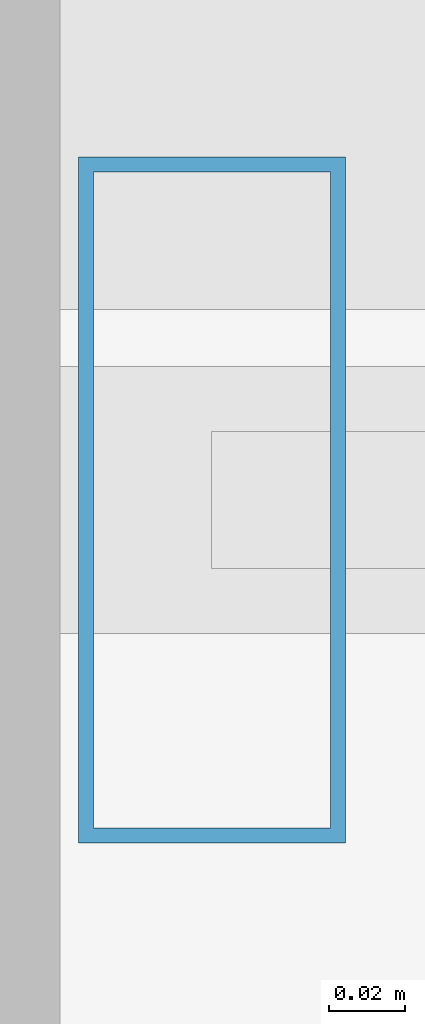
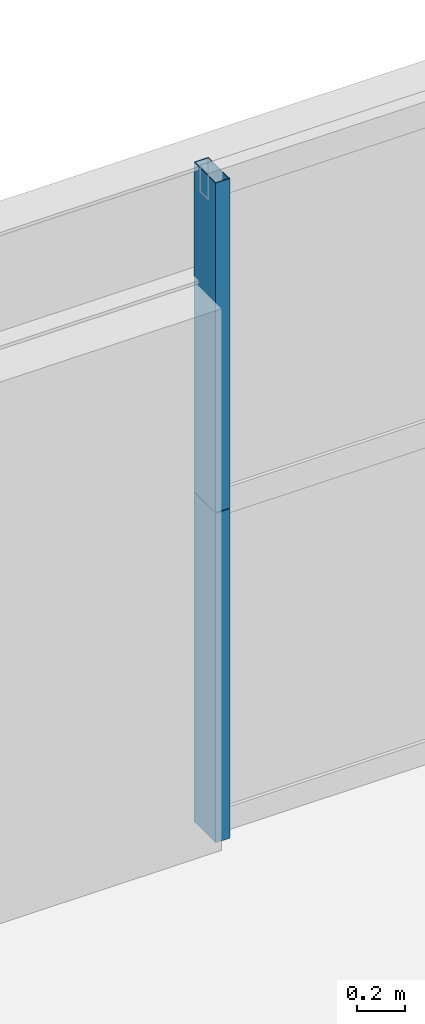
# One storey, part 27 of 43: 2 members, 1 element without a shape of its own.
"""IFC4 building model written with IfcOpenShell, lengths in metres."""

from ifc_helpers import new_model, si_unit, direction, frame, origin, origin_2d, place, context, subcontext, project, spatial, hollow_rectangle, extrude, source, transform, mapped, material, layer, layer_set, material_profile, profile_set, type_object, element, aggregate, save


model = new_model("IFC4")

# Units and contexts
model_context = context("Model", 3, precision=1e-05, world=origin(), true_north=direction((0.0, 1.0)))
body_context = subcontext(model_context, "Body", "Model", "MODEL_VIEW")
ifc_project = project(units=[si_unit("LENGTHUNIT", "METRE"), si_unit("AREAUNIT", "SQUARE_METRE"), si_unit("VOLUMEUNIT", "CUBIC_METRE"), si_unit("PLANEANGLEUNIT", "RADIAN"), si_unit("MASSUNIT", "GRAM", prefix="KILO"), si_unit("THERMODYNAMICTEMPERATUREUNIT", "KELVIN"), si_unit("POWERUNIT", "WATT")], contexts=[model_context])

# Site, building, storey
site_placement = place(None, origin())
site = spatial("IfcSite", under=ifc_project, at=site_placement, CompositionType="ELEMENT")
building_placement = place(site_placement, origin())
building = spatial("IfcBuilding", under=site, at=building_placement, Name="Yuzanri Waterfront Tower", CompositionType="ELEMENT")
storey_placement = place(building_placement, frame((0.0, 0.0, 159.60009765625)))
storey = spatial("IfcBuildingStorey", under=building, at=storey_placement, Name="L42", CompositionType="ELEMENT", Elevation=159.60009765625)

# Curtain wall, members
ifc_material_1 = material(Name="Anodized Architectural Bronze", Category="metal")
ifc_layer = layer(ifc_material_1, 0.159912109375)
ifc_layer_set = layer_set([ifc_layer], Name="Anodized Architectural Bronze")
curtain_wall_type = type_object("IfcCurtainWallType", Name="Anodized Bronze Hotel Upper-Tier Solar-Control Unitized Curtain Wall 7800", PredefinedType="NOTDEFINED", material=ifc_layer_set)
curtain_wall_placement = place(storey_placement, origin())
curtain_wall = element("IfcCurtainWall", 1, at=curtain_wall_placement, inside=storey, type_object=curtain_wall_type, Name="L42 Curtain Wall CW-L42-NL", PredefinedType="NOTDEFINED")
ifc_material_2 = material(Name="Anodized Architectural Bronze", Category="metal")
ifc_material_profile = material_profile(ifc_material_2, hollow_rectangle(XDim=0.070068359375, YDim=0.179931640625, WallThickness=0.00390625, at=origin_2d()), Name="CWM 70x180")
ifc_profile_set = profile_set([ifc_material_profile], Name="Anodized Architectural Bronze")
member_type = type_object("IfcMemberType", Name="Anodized Bronze Standard Curtain-Wall Mullion 70x180", PredefinedType="MULLION", material=ifc_profile_set)
shared_shape = source(origin(), body_context, "Body", "SweptSolid", [
    extrude(hollow_rectangle(XDim=0.070068359375, YDim=0.179931640625, WallThickness=0.00390625, at=origin_2d()), origin(), (0.0, 0.0, 1.0), 1.68798828125),
])
member_1_placement = place(storey_placement, frame((20.7900390625, 49.25, 0.0), z_axis=(0.0, 0.0, 1.0), x_axis=(1.0, 0.0, 0.0)))
member_1 = element("IfcMember", 2, at=member_1_placement, type_object=member_type, Name="CW-L42-NL Lower Mullion 00", PredefinedType="MULLION", context=body_context, shape_type="MappedRepresentation", body=[
    mapped(shared_shape, transform((0.0, 0.0, 0.0), scale=1.0)),
])
member_2_placement = place(storey_placement, frame((20.7900390625, 49.25, 1.69189453125), z_axis=(0.0, 0.0, 1.0), x_axis=(1.0, 0.0, 0.0)))
member_2 = element("IfcMember", 3, at=member_2_placement, type_object=member_type, Name="CW-L42-NL Upper Mullion 00", PredefinedType="MULLION", context=body_context, shape_type="MappedRepresentation", body=[
    mapped(shared_shape, transform((0.0, 0.0, 0.0), scale=1.0)),
])
aggregate(curtain_wall, [member_1, member_2])

save(model, "model.ifc")
